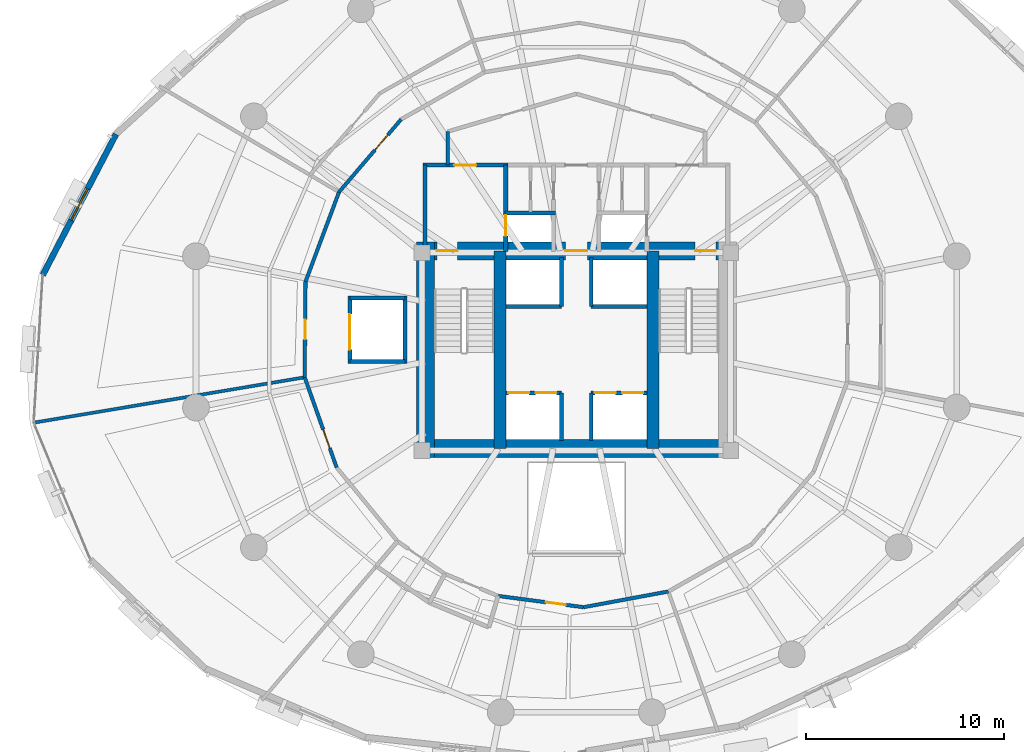
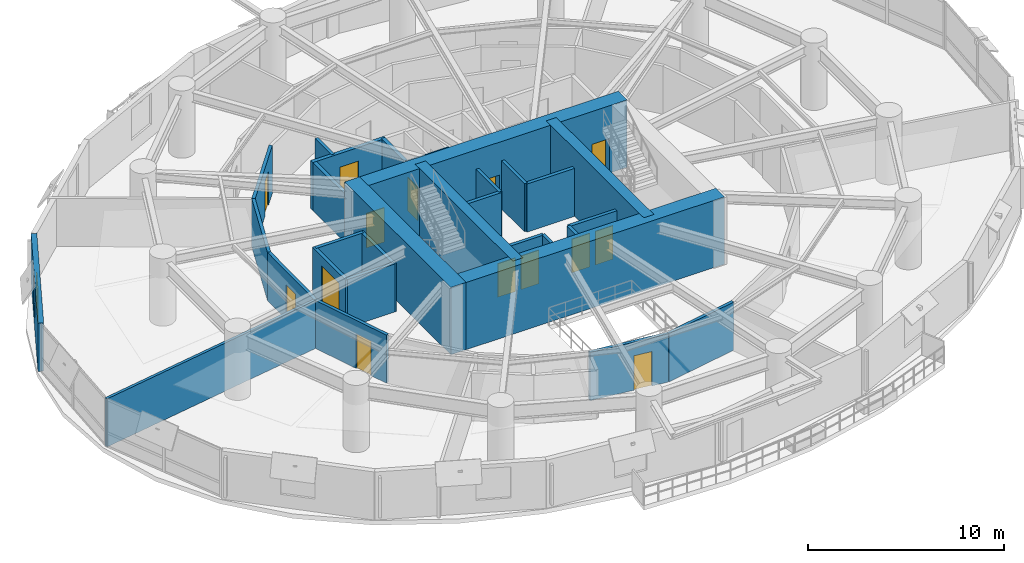
# One storey, part 12 of 17: 30 walls, 14 doors, 1 window, 15 openings.
"""IFC4 building model written with IfcOpenShell, lengths in metres."""

from ifc_helpers import new_model, si_unit, direction, frame, frame_2d, origin, place, context, subcontext, project, spatial, rectangle, extrude, material, layer, layer_set, type_object, element, fill, save


model = new_model("IFC4")

# Units and contexts
model_context = context("Model", 3, precision=1e-05, world=origin(), true_north=direction((0.0, 1.0)))
body_context = subcontext(model_context, "Body", "Model", "MODEL_VIEW")
ifc_project = project(units=[si_unit("LENGTHUNIT", "METRE"), si_unit("AREAUNIT", "SQUARE_METRE"), si_unit("VOLUMEUNIT", "CUBIC_METRE"), si_unit("PLANEANGLEUNIT", "RADIAN"), si_unit("MASSUNIT", "GRAM", prefix="KILO"), si_unit("THERMODYNAMICTEMPERATUREUNIT", "KELVIN"), si_unit("POWERUNIT", "WATT")], contexts=[model_context])

# Site, building, storey
site_placement = place(None, origin())
site = spatial("IfcSite", under=ifc_project, at=site_placement, CompositionType="ELEMENT")
building_placement = place(site_placement, origin())
building = spatial("IfcBuilding", under=site, at=building_placement, Name="Ocrelia Relay Tower", CompositionType="ELEMENT")
storey_placement = place(building_placement, frame((0.0, 0.0, 72.0)))
storey = spatial("IfcBuildingStorey", under=building, at=storey_placement, Name="L16", CompositionType="ELEMENT", Elevation=72.0)

# Wall
ifc_material_1 = material(Name="Concrete C70/85", Category="concrete")
ifc_layer_1 = layer(ifc_material_1, 0.89990234375, Name="Concrete C70/85")
ifc_layer_set_1 = layer_set([ifc_layer_1], Name="Concrete C70/85")
wall_type_1 = type_object("IfcWallType", Name="CW-CORE-900", PredefinedType="SHEAR", material=ifc_layer_set_1)
wall_1_placement = place(storey_placement, frame((25.922119140625, 20.112060546875, 0.0), z_axis=(0.0, 0.0, 1.0), x_axis=(1.0, 0.0, 0.0)))
element("IfcWall", 1, at=wall_1_placement, inside=storey, type_object=wall_type_1, Name="L16 Core Shear Wall S", PredefinedType="SHEAR", context=body_context, shape_type="SweptSolid", body=[
    extrude(rectangle(XDim=16.165771484375, YDim=0.89990234375, at=frame_2d((8.0830078125, 0.0))), origin(), (0.0, 0.0, 1.0), 4.199951171875),
])

# Wall, openings, doors
wall_2_placement = place(storey_placement, frame((25.922119140625, 30.087890625, 0.0), z_axis=(0.0, 0.0, 1.0), x_axis=(1.0, 0.0, 0.0)))
wall_2 = element("IfcWall", 2, at=wall_2_placement, inside=storey, type_object=wall_type_1, Name="L16 Core Shear Wall N", PredefinedType="SHEAR", context=body_context, shape_type="SweptSolid", body=[
    extrude(rectangle(XDim=16.165771484375, YDim=0.89990234375, at=frame_2d((8.0830078125, 0.0))), origin(), (0.0, 0.0, 1.0), 4.199951171875),
])
opening_1_placement = place(wall_2_placement, frame((1.028076171875, 0.0, 0.0)))
opening_1 = element("IfcOpeningElement", 3, at=opening_1_placement, cuts=wall_2, Name="Opening D-FD90", PredefinedType="OPENING", context=body_context, shape_type="SweptSolid", body=[
    extrude(rectangle(XDim=1.050048828125, YDim=2.14990234375, at=frame_2d((0.52490234375, 1.074951171875))), frame((0.0, 0.4599609375, 0.0), z_axis=(0.0, -1.0, 0.0), x_axis=(1.0, 0.0, 0.0)), (0.0, 0.0, 1.0), 0.919921875),
])
opening_2_placement = place(wall_2_placement, frame((14.077880859375, 0.0, 0.0)))
opening_2 = element("IfcOpeningElement", 4, at=opening_2_placement, cuts=wall_2, Name="Opening D-FD90", PredefinedType="OPENING", context=body_context, shape_type="SweptSolid", body=[
    extrude(rectangle(XDim=1.050048828125, YDim=2.14990234375, at=frame_2d((0.52490234375, 1.074951171875))), frame((0.0, 0.4599609375, 0.0), z_axis=(0.0, -1.0, 0.0), x_axis=(1.0, 0.0, 0.0)), (0.0, 0.0, 1.0), 0.919921875),
])
opening_3_placement = place(wall_2_placement, frame((7.528076171875, 0.0, 0.0)))
opening_3 = element("IfcOpeningElement", 5, at=opening_3_placement, cuts=wall_2, Name="Opening D-FD60", PredefinedType="OPENING", context=body_context, shape_type="SweptSolid", body=[
    extrude(rectangle(XDim=1.10009765625, YDim=2.14990234375, at=frame_2d((0.550048828125, 1.074951171875))), frame((0.0, 0.4599609375, 0.0), z_axis=(0.0, -1.0, 0.0), x_axis=(1.0, 0.0, 0.0)), (0.0, 0.0, 1.0), 0.919921875),
])
ifc_material_2 = material(Name="Timber-core 60-min acoustic fire door", Category="wood")
door_type_1 = type_object("IfcDoorType", Name="DR-LOBBY-FD60-1100", OperationType="NOTDEFINED", PredefinedType="DOOR", material=ifc_material_2)
door_1_placement = place(opening_3_placement, origin())
door_1 = element("IfcDoor", 6, at=door_1_placement, inside=storey, type_object=door_type_1, Name="L16 Core Lift Lobby North Fire Door", OperationType="SINGLE_SWING_RIGHT", OverallHeight=2.14990234375, OverallWidth=1.10009765625, PredefinedType="DOOR", context=body_context, shape_type="SweptSolid", body=[
    extrude(rectangle(XDim=1.10009765625, YDim=2.14990234375, at=frame_2d((0.550048828125, 1.074951171875))), frame((0.0, 0.02490234375, 0.0), z_axis=(0.0, -1.0, 0.0), x_axis=(1.0, 0.0, 0.0)), (0.0, 0.0, 1.0), 0.050048828125),
])
fill(opening_3, door_1)
ifc_material_3 = material(Name="Steel S355 90-min fire door", Category="steel")
door_type_2 = type_object("IfcDoorType", Name="DR-STAIR-FD90-1050", OperationType="NOTDEFINED", PredefinedType="DOOR", material=ifc_material_3)
door_2_placement = place(opening_1_placement, origin())
door_2 = element("IfcDoor", 7, at=door_2_placement, inside=storey, type_object=door_type_2, Name="L16 Stair ST1 Fire Door", OperationType="SINGLE_SWING_RIGHT", OverallHeight=2.14990234375, OverallWidth=1.050048828125, PredefinedType="DOOR", context=body_context, shape_type="SweptSolid", body=[
    extrude(rectangle(XDim=1.050048828125, YDim=2.14990234375, at=frame_2d((0.52490234375, 1.074951171875))), frame((0.0, 0.02490234375, 0.0), z_axis=(0.0, -1.0, 0.0), x_axis=(1.0, 0.0, 0.0)), (0.0, 0.0, 1.0), 0.050048828125),
])
fill(opening_1, door_2)
door_3_placement = place(opening_2_placement, origin())
door_3 = element("IfcDoor", 8, at=door_3_placement, inside=storey, type_object=door_type_2, Name="L16 Stair ST2 Fire Door", OperationType="SINGLE_SWING_LEFT", OverallHeight=2.14990234375, OverallWidth=1.050048828125, PredefinedType="DOOR", context=body_context, shape_type="SweptSolid", body=[
    extrude(rectangle(XDim=1.050048828125, YDim=2.14990234375, at=frame_2d((0.52490234375, 1.074951171875))), frame((0.0, 0.02490234375, 0.0), z_axis=(0.0, -1.0, 0.0), x_axis=(1.0, 0.0, 0.0)), (0.0, 0.0, 1.0), 0.050048828125),
])
fill(opening_2, door_3)

# Walls
wall_3_placement = place(storey_placement, frame((26.3720703125, 19.662109375, 0.0), z_axis=(0.0, 0.0, 1.0), x_axis=(0.0, 1.0, 0.0)))
element("IfcWall", 9, at=wall_3_placement, inside=storey, type_object=wall_type_1, Name="L16 Core Shear Wall W", PredefinedType="SHEAR", context=body_context, shape_type="SweptSolid", body=[
    extrude(rectangle(XDim=10.8759765625, YDim=0.89990234375, at=frame_2d((5.43798828125, 0.0))), origin(), (0.0, 0.0, 1.0), 4.199951171875),
])
for number, where, z_axis, x_axis, name in (
    (10, (30.137939453125, 20.112060546875, 0.0), (0.0, 0.0, 1.0), (0.0, 1.0, 0.0), "L16 Core Shear Wall SPW"),
    (11, (37.8720703125, 20.112060546875, 0.0), (0.0, 0.0, 1.0), (0.0, 1.0, 0.0), "L16 Core Shear Wall SPE"),
):
    element("IfcWall", number, at=place(storey_placement, frame(where, z_axis=z_axis, x_axis=x_axis)), inside=storey, type_object=wall_type_1, Name=name, PredefinedType="SHEAR", context=body_context, shape_type="SweptSolid", body=[
        extrude(rectangle(XDim=9.975830078125, YDim=0.60009765625, at=frame_2d((4.98779296875, 0.0))), origin(), (0.0, 0.0, 1.0), 4.199951171875),
    ])
ifc_material_4 = material(Name="Gypsum Fireboard Partition EI60", Category="gypsum")
ifc_layer_2 = layer(ifc_material_4, 0.179931640625, Name="Gypsum Fireboard Partition EI60")
ifc_layer_set_2 = layer_set([ifc_layer_2], Name="Gypsum Fireboard Partition EI60")
wall_type_2 = type_object("IfcWallType", Name="W-CORR-EI60-180", PredefinedType="PARTITIONING", material=ifc_layer_set_2)
wall_4_placement = place(storey_placement, frame((27.5, 34.429931640625, 0.0), z_axis=(0.0, 0.0, 1.0), x_axis=(0.0, 1.0, 0.0)))
element("IfcWall", 12, at=wall_4_placement, inside=storey, type_object=wall_type_2, Name="L16 Smoke Lobby West Return", PredefinedType="PARTITIONING", context=body_context, shape_type="SweptSolid", body=[
    extrude(rectangle(XDim=1.69287109375, YDim=0.179931640625, at=frame_2d((0.846435546875, 0.0))), origin(), (0.0, 0.0, 1.0), 3.0),
])

# Wall, opening, door
wall_5_placement = place(storey_placement, frame((30.04638671875, 12.6533203125, 0.0), z_axis=(0.0, 0.0, 1.0), x_axis=(0.99144150769, -0.130551663448, 0.0)))
wall_5 = element("IfcWall", 13, at=wall_5_placement, inside=storey, type_object=wall_type_2, Name="L16 Operations Control Office A Corridor Partition 1", PredefinedType="PARTITIONING", context=body_context, shape_type="SweptSolid", body=[
    extrude(rectangle(XDim=4.35546875, YDim=0.179931640625, at=frame_2d((2.177734375, 0.0))), origin(), (0.0, 0.0, 1.0), 3.0),
])
opening_4_placement = place(wall_5_placement, frame((2.44140625, 0.0, 0.0)))
opening_4 = element("IfcOpeningElement", 14, at=opening_4_placement, cuts=wall_5, Name="Opening D-RM100", PredefinedType="OPENING", context=body_context, shape_type="SweptSolid", body=[
    extrude(rectangle(XDim=1.0, YDim=2.14990234375, at=frame_2d((0.5, 1.074951171875))), frame((0.0, 0.10009765625, 0.0), z_axis=(0.0, -1.0, 0.0), x_axis=(1.0, 0.0, 0.0)), (0.0, 0.0, 1.0), 0.199951171875),
])
ifc_material_5 = material(Name="Acoustic oak veneer fire door", Category="wood")
door_type_3 = type_object("IfcDoorType", Name="DR-ROOM-FD60-1000", OperationType="NOTDEFINED", PredefinedType="DOOR", material=ifc_material_5)
door_4_placement = place(opening_4_placement, origin())
door_4 = element("IfcDoor", 15, at=door_4_placement, inside=storey, type_object=door_type_3, Name="L16 Operations Control Office A Entrance Door", OperationType="SINGLE_SWING_RIGHT", OverallHeight=2.14990234375, OverallWidth=1.0, PredefinedType="DOOR", context=body_context, shape_type="SweptSolid", body=[
    extrude(rectangle(XDim=1.0, YDim=2.14990234375, at=frame_2d((0.5, 1.074951171875))), frame((0.0, 0.02490234375, 0.0), z_axis=(0.0, -1.0, 0.0), x_axis=(1.0, 0.0, 0.0)), (0.0, 0.0, 1.0), 0.050048828125),
])
fill(opening_4, door_4)

# Wall
wall_6_placement = place(storey_placement, frame((34.364501953125, 12.084716796875, 0.0), z_axis=(0.0, 0.0, 1.0), x_axis=(0.983251507181, 0.182253871363, 0.0)))
element("IfcWall", 16, at=wall_6_placement, inside=storey, type_object=wall_type_2, Name="L16 Operations Control Office A Corridor Partition 2", PredefinedType="PARTITIONING", context=body_context, shape_type="SweptSolid", body=[
    extrude(rectangle(XDim=4.35498046875, YDim=0.179931640625, at=frame_2d((2.177490234375, 0.0))), origin(), (0.0, 0.0, 1.0), 3.0),
])

# Wall, opening, door
wall_7_placement = place(storey_placement, frame((25.145751953125, 36.740966796875, 0.0), z_axis=(0.0, 0.0, 1.0), x_axis=(-0.649451176298, -0.760403294052, 0.0)))
wall_7 = element("IfcWall", 17, at=wall_7_placement, inside=storey, type_object=wall_type_2, Name="L16 Systems Office C Corridor Partition 2", PredefinedType="PARTITIONING", context=body_context, shape_type="SweptSolid", body=[
    extrude(rectangle(XDim=4.834228515625, YDim=0.179931640625, at=frame_2d((2.4169921875, 0.0))), origin(), (0.0, 0.0, 1.0), 3.0),
])
opening_5_placement = place(wall_7_placement, frame((1.03369140625, 0.0, 0.0)))
opening_5 = element("IfcOpeningElement", 18, at=opening_5_placement, cuts=wall_7, Name="Opening D-RM100", PredefinedType="OPENING", context=body_context, shape_type="SweptSolid", body=[
    extrude(rectangle(XDim=1.0, YDim=2.14990234375, at=frame_2d((0.5, 1.074951171875))), frame((0.0, 0.10009765625, 0.0), z_axis=(0.0, -1.0, 0.0), x_axis=(1.0, 0.0, 0.0)), (0.0, 0.0, 1.0), 0.199951171875),
])
door_5_placement = place(opening_5_placement, origin())
door_5 = element("IfcDoor", 19, at=door_5_placement, inside=storey, type_object=door_type_3, Name="L16 Systems Office C Entrance Door", OperationType="SINGLE_SWING_RIGHT", OverallHeight=2.14990234375, OverallWidth=1.0, PredefinedType="DOOR", context=body_context, shape_type="SweptSolid", body=[
    extrude(rectangle(XDim=1.0, YDim=2.14990234375, at=frame_2d((0.5, 1.074951171875))), frame((0.0, 0.02490234375, 0.0), z_axis=(0.0, -1.0, 0.0), x_axis=(1.0, 0.0, 0.0)), (0.0, 0.0, 1.0), 0.050048828125),
])
fill(opening_5, door_5)

# Wall
wall_8_placement = place(storey_placement, frame((22.006103515625, 33.06494140625, 0.0), z_axis=(0.0, 0.0, 1.0), x_axis=(-0.350215664948, -0.936669092062, 0.0)))
element("IfcWall", 20, at=wall_8_placement, inside=storey, type_object=wall_type_2, Name="L16 Carrier Briefing Room Corridor Partition 1", PredefinedType="PARTITIONING", context=body_context, shape_type="SweptSolid", body=[
    extrude(rectangle(XDim=4.83447265625, YDim=0.179931640625, at=frame_2d((2.417236328125, 0.0))), origin(), (0.0, 0.0, 1.0), 3.0),
])

# Wall, opening, door
wall_9_placement = place(storey_placement, frame((20.31298828125, 28.53662109375, 0.0), z_axis=(0.0, 0.0, 1.0), x_axis=(-0.008686102284, -0.999962275102, 0.0)))
wall_9 = element("IfcWall", 21, at=wall_9_placement, inside=storey, type_object=wall_type_2, Name="L16 Carrier Briefing Room Corridor Partition 2", PredefinedType="PARTITIONING", context=body_context, shape_type="SweptSolid", body=[
    extrude(rectangle(XDim=4.83447265625, YDim=0.179931640625, at=frame_2d((2.417236328125, 0.0))), origin(), (0.0, 0.0, 1.0), 3.0),
])
opening_6_placement = place(wall_9_placement, frame((1.917236328125, 0.0, 0.0)))
opening_6 = element("IfcOpeningElement", 22, at=opening_6_placement, cuts=wall_9, Name="Opening D-RM100", PredefinedType="OPENING", context=body_context, shape_type="SweptSolid", body=[
    extrude(rectangle(XDim=1.0, YDim=2.14990234375, at=frame_2d((0.5, 1.074951171875))), frame((0.0, 0.10009765625, 0.0), z_axis=(0.0, -1.0, 0.0), x_axis=(1.0, 0.0, 0.0)), (0.0, 0.0, 1.0), 0.199951171875),
])
door_6_placement = place(opening_6_placement, origin())
door_6 = element("IfcDoor", 23, at=door_6_placement, inside=storey, type_object=door_type_3, Name="L16 Carrier Briefing Room Entrance Door", OperationType="SINGLE_SWING_RIGHT", OverallHeight=2.14990234375, OverallWidth=1.0, PredefinedType="DOOR", context=body_context, shape_type="SweptSolid", body=[
    extrude(rectangle(XDim=1.0, YDim=2.14990234375, at=frame_2d((0.5, 1.074951171875))), frame((0.0, 0.02490234375, 0.0), z_axis=(0.0, -1.0, 0.0), x_axis=(1.0, 0.0, 0.0)), (0.0, 0.0, 1.0), 0.050048828125),
])
fill(opening_6, door_6)

wall_10_placement = place(storey_placement, frame((20.27099609375, 23.702392578125, 0.0), z_axis=(0.0, 0.0, 1.0), x_axis=(0.333778894191, -0.942651393566, 0.0)))
wall_10 = element("IfcWall", 24, at=wall_10_placement, inside=storey, type_object=wall_type_2, Name="L16 Network Monitoring Studio Corridor Partition 1", PredefinedType="PARTITIONING", context=body_context, shape_type="SweptSolid", body=[
    extrude(rectangle(XDim=4.834228515625, YDim=0.179931640625, at=frame_2d((2.4169921875, 0.0))), origin(), (0.0, 0.0, 1.0), 3.0),
])
opening_7_placement = place(wall_10_placement, frame((2.80078125, 0.0, 0.0)))
opening_7 = element("IfcOpeningElement", 25, at=opening_7_placement, cuts=wall_10, Name="Opening D-RM100", PredefinedType="OPENING", context=body_context, shape_type="SweptSolid", body=[
    extrude(rectangle(XDim=1.0, YDim=2.14990234375, at=frame_2d((0.5, 1.074951171875))), frame((0.0, 0.10009765625, 0.0), z_axis=(0.0, -1.0, 0.0), x_axis=(1.0, 0.0, 0.0)), (0.0, 0.0, 1.0), 0.199951171875),
])
door_7_placement = place(opening_7_placement, origin())
door_7 = element("IfcDoor", 26, at=door_7_placement, inside=storey, type_object=door_type_3, Name="L16 Network Monitoring Studio Entrance Door", OperationType="SINGLE_SWING_LEFT", OverallHeight=2.14990234375, OverallWidth=1.0, PredefinedType="DOOR", context=body_context, shape_type="SweptSolid", body=[
    extrude(rectangle(XDim=1.0, YDim=2.14990234375, at=frame_2d((0.5, 1.074951171875))), frame((0.0, 0.02490234375, 0.0), z_axis=(0.0, -1.0, 0.0), x_axis=(1.0, 0.0, 0.0)), (0.0, 0.0, 1.0), 0.050048828125),
])
fill(opening_7, door_7)

# Wall, opening, window
ifc_material_6 = material(Name="Precast concrete C40/50 with oxide terracotta", Category="masonry")
ifc_layer_3 = layer(ifc_material_6, 0.300048828125, Name="Precast concrete C40/50 with oxide terracotta")
ifc_layer_set_3 = layer_set([ifc_layer_3], Name="Precast concrete C40/50 with oxide terracotta")
wall_type_3 = type_object("IfcWallType", Name="W-EXT-TERR-300", PredefinedType="SOLIDWALL", material=ifc_layer_set_3)
wall_11_placement = place(storey_placement, frame((10.736328125, 35.98876953125, 0.0), z_axis=(0.0, 0.0, 1.0), x_axis=(-0.461738888068, -0.887015895712, 0.0)))
wall_11 = element("IfcWall", 27, at=wall_11_placement, inside=storey, type_object=wall_type_3, Name="L16 Oxide Terracotta Facade Wall 08", PredefinedType="SOLIDWALL", context=body_context, shape_type="SweptSolid", body=[
    extrude(rectangle(XDim=8.021484375, YDim=0.300048828125, at=frame_2d((4.0107421875, 0.0))), origin(), (0.0, 0.0, 1.0), 3.0),
])
opening_8_placement = place(wall_11_placement, frame((3.111083984375, 0.0, 0.800048828125)))
opening_8 = element("IfcOpeningElement", 28, at=opening_8_placement, cuts=wall_11, Name="Opening W-02", PredefinedType="OPENING", context=body_context, shape_type="SweptSolid", body=[
    extrude(rectangle(XDim=1.800048828125, YDim=1.949951171875, at=frame_2d((0.89990234375, 0.97509765625))), frame((0.0, 0.16015625, 0.0), z_axis=(0.0, -1.0, 0.0), x_axis=(1.0, 0.0, 0.0)), (0.0, 0.0, 1.0), 0.320068359375),
])
ifc_material_7 = material(Name="Clear double-glazed low-E glass", Category="glass")
window_type = type_object("IfcWindowType", Name="WIN-Z1-1800x2100", PartitioningType="DOUBLE_PANEL_VERTICAL", PredefinedType="WINDOW", material=ifc_material_7)
window_placement = place(opening_8_placement, origin())
window = element("IfcWindow", 29, at=window_placement, inside=storey, type_object=window_type, Name="L16 Facade Module Window 08", OverallHeight=1.949951171875, OverallWidth=1.800048828125, PartitioningType="SINGLE_PANEL", PredefinedType="WINDOW", context=body_context, shape_type="SweptSolid", body=[
    extrude(rectangle(XDim=1.800048828125, YDim=1.949951171875, at=frame_2d((0.89990234375, 0.97509765625))), frame((0.0, 0.030029296875, 0.0), z_axis=(0.0, -1.0, 0.0), x_axis=(1.0, 0.0, 0.0)), (0.0, 0.0, 1.0), 0.06005859375),
])
fill(opening_8, window)

# Wall
ifc_material_8 = material(Name="Concrete C50/60", Category="concrete")
ifc_layer_4 = layer(ifc_material_8, 0.219970703125, Name="Concrete C50/60")
ifc_layer_set_4 = layer_set([ifc_layer_4], Name="Concrete C50/60")
wall_type_4 = type_object("IfcWallType", Name="W-FFL-EI120-220", PredefinedType="SOLIDWALL", material=ifc_layer_set_4)
wall_12_placement = place(storey_placement, frame((26.35009765625, 30.050048828125, 0.0), z_axis=(0.0, 0.0, 1.0), x_axis=(0.0, 1.0, 0.0)))
element("IfcWall", 30, at=wall_12_placement, inside=storey, type_object=wall_type_4, Name="L16 W Fire Service Lift Lobby West Wall", PredefinedType="SOLIDWALL", context=body_context, shape_type="SweptSolid", body=[
    extrude(rectangle(XDim=4.3798828125, YDim=0.219970703125, at=frame_2d((2.18994140625, 0.0))), origin(), (0.0, 0.0, 1.0), 3.0),
])

# Wall, opening, door
wall_13_placement = place(storey_placement, frame((30.43994140625, 30.050048828125, 0.0), z_axis=(0.0, 0.0, 1.0), x_axis=(0.0, 1.0, 0.0)))
wall_13 = element("IfcWall", 31, at=wall_13_placement, inside=storey, type_object=wall_type_4, Name="L16 W Fire Service Lift Lobby East Wall", PredefinedType="SOLIDWALL", context=body_context, shape_type="SweptSolid", body=[
    extrude(rectangle(XDim=4.3798828125, YDim=0.219970703125, at=frame_2d((2.18994140625, 0.0))), origin(), (0.0, 0.0, 1.0), 3.0),
])
opening_9_placement = place(wall_13_placement, frame((0.800048828125, 0.0, 0.0)))
opening_9 = element("IfcOpeningElement", 32, at=opening_9_placement, cuts=wall_13, Name="Opening LD-FFL1", PredefinedType="OPENING", context=body_context, shape_type="SweptSolid", body=[
    extrude(rectangle(XDim=1.050048828125, YDim=2.10009765625, at=frame_2d((0.52490234375, 1.050048828125))), frame((0.0, 0.1201171875, 0.0), z_axis=(0.0, -1.0, 0.0), x_axis=(1.0, 0.0, 0.0)), (0.0, 0.0, 1.0), 0.239990234375),
])
ifc_material_9 = material(Name="Brushed stainless steel S355 lift landing door", Category="steel")
door_type_4 = type_object("IfcDoorType", Name="DR-LIFT-LAND-1050", OperationType="DOUBLE_DOOR_SLIDING", PredefinedType="USERDEFINED", material=ifc_material_9)
door_8_placement = place(opening_9_placement, origin())
door_8 = element("IfcDoor", 33, at=door_8_placement, inside=storey, type_object=door_type_4, Name="L16 Firefighting Lift FFL1 Sliding Landing Door", ObjectType="LANDING DOOR", OperationType="DOUBLE_DOOR_SLIDING", OverallHeight=2.10009765625, OverallWidth=1.050048828125, PredefinedType="USERDEFINED", context=body_context, shape_type="SweptSolid", body=[
    extrude(rectangle(XDim=1.050048828125, YDim=2.10009765625, at=frame_2d((0.52490234375, 1.050048828125))), frame((0.0, 0.02490234375, 0.0), z_axis=(0.0, -1.0, 0.0), x_axis=(1.0, 0.0, 0.0)), (0.0, 0.0, 1.0), 0.050048828125),
])
fill(opening_9, door_8)

wall_14_placement = place(storey_placement, frame((26.239990234375, 34.429931640625, 0.0), z_axis=(0.0, 0.0, 1.0), x_axis=(1.0, 0.0, 0.0)))
wall_14 = element("IfcWall", 34, at=wall_14_placement, inside=storey, type_object=wall_type_4, Name="L16 W Fire Service Lift Lobby North Wall", PredefinedType="SOLIDWALL", context=body_context, shape_type="SweptSolid", body=[
    extrude(rectangle(XDim=4.31005859375, YDim=0.219970703125, at=frame_2d((2.155029296875, 0.0))), origin(), (0.0, 0.0, 1.0), 3.0),
])
opening_10_placement = place(wall_14_placement, frame((1.60009765625, 0.0, 0.0)))
opening_10 = element("IfcOpeningElement", 35, at=opening_10_placement, cuts=wall_14, Name="Opening D-FD60", PredefinedType="OPENING", context=body_context, shape_type="SweptSolid", body=[
    extrude(rectangle(XDim=1.10009765625, YDim=2.14990234375, at=frame_2d((0.550048828125, 1.074951171875))), frame((0.0, 0.1201171875, 0.0), z_axis=(0.0, -1.0, 0.0), x_axis=(1.0, 0.0, 0.0)), (0.0, 0.0, 1.0), 0.239990234375),
])
door_9_placement = place(opening_10_placement, origin())
door_9 = element("IfcDoor", 36, at=door_9_placement, inside=storey, type_object=door_type_1, Name="L16 W Fire Service Lift Lobby Exit Door", OperationType="SINGLE_SWING_LEFT", OverallHeight=2.14990234375, OverallWidth=1.10009765625, PredefinedType="DOOR", context=body_context, shape_type="SweptSolid", body=[
    extrude(rectangle(XDim=1.10009765625, YDim=2.14990234375, at=frame_2d((0.550048828125, 1.074951171875))), frame((0.0, 0.02490234375, 0.0), z_axis=(0.0, -1.0, 0.0), x_axis=(1.0, 0.0, 0.0)), (0.0, 0.0, 1.0), 0.050048828125),
])
fill(opening_10, door_9)

# Walls
ifc_material_10 = material(Name="Acoustic Fireboard Partition EI60", Category="gypsum")
ifc_layer_5 = layer(ifc_material_10, 0.159912109375, Name="Acoustic Fireboard Partition EI60")
ifc_layer_set_5 = layer_set([ifc_layer_5], Name="Acoustic Fireboard Partition EI60")
wall_type_5 = type_object("IfcWallType", Name="W-PART-160", PredefinedType="PARTITIONING", material=ifc_layer_set_5)
wall_15_placement = place(storey_placement, frame((20.27099609375, 23.702392578125, 0.0), z_axis=(0.0, 0.0, 1.0), x_axis=(-0.986286752886, -0.165040725524, 0.0)))
element("IfcWall", 37, at=wall_15_placement, inside=storey, type_object=wall_type_5, Name="L16 Carrier Briefing Room Radial Partition", PredefinedType="PARTITIONING", context=body_context, shape_type="SweptSolid", body=[
    extrude(rectangle(XDim=13.880126953125, YDim=0.159912109375, at=frame_2d((6.93994140625, 0.0))), origin(), (0.0, 0.0, 1.0), 3.0),
])
ifc_layer_6 = layer(ifc_material_8, 0.199951171875, Name="Concrete C50/60")
ifc_layer_set_6 = layer_set([ifc_layer_6], Name="Concrete C50/60")
wall_type_6 = type_object("IfcWallType", Name="W-SHAFT-EI120-200", PredefinedType="SOLIDWALL", material=ifc_layer_set_6)
wall_16_placement = place(storey_placement, frame((30.39990234375, 32.0, 0.0), z_axis=(0.0, 0.0, 1.0), x_axis=(1.0, 0.0, 0.0)))
element("IfcWall", 38, at=wall_16_placement, inside=storey, type_object=wall_type_6, Name="L16 FFL1 Hoistway North Wall", PredefinedType="SOLIDWALL", context=body_context, shape_type="SweptSolid", body=[
    extrude(rectangle(XDim=2.550048828125, YDim=0.199951171875, at=frame_2d((1.27490234375, 0.0))), origin(), (0.0, 0.0, 1.0), 3.0),
])

# Wall, openings, doors
wall_17_placement = place(storey_placement, frame((30.43994140625, 22.919921875, 0.0), z_axis=(0.0, 0.0, 1.0), x_axis=(1.0, 0.0, 0.0)))
wall_17 = element("IfcWall", 39, at=wall_17_placement, inside=storey, type_object=wall_type_6, Name="L16 Low-Rise Lift Hoistway Wall W", PredefinedType="SOLIDWALL", context=body_context, shape_type="SweptSolid", body=[
    extrude(rectangle(XDim=2.81005859375, YDim=0.199951171875, at=frame_2d((1.405029296875, 0.0))), origin(), (0.0, 0.0, 1.0), 3.0),
])
opening_11_placement = place(wall_17_placement, frame((0.1201171875, 0.0, 0.0)))
opening_11 = element("IfcOpeningElement", 40, at=opening_11_placement, cuts=wall_17, Name="Opening LD-PL1", PredefinedType="OPENING", context=body_context, shape_type="SweptSolid", body=[
    extrude(rectangle(XDim=1.050048828125, YDim=2.10009765625, at=frame_2d((0.52490234375, 1.050048828125))), frame((0.0, 0.10986328125, 0.0), z_axis=(0.0, -1.0, 0.0), x_axis=(1.0, 0.0, 0.0)), (0.0, 0.0, 1.0), 0.219970703125),
])
opening_12_placement = place(wall_17_placement, frame((1.5, 0.0, 0.0)))
opening_12 = element("IfcOpeningElement", 41, at=opening_12_placement, cuts=wall_17, Name="Opening LD-PL2", PredefinedType="OPENING", context=body_context, shape_type="SweptSolid", body=[
    extrude(rectangle(XDim=1.050048828125, YDim=2.10009765625, at=frame_2d((0.52490234375, 1.050048828125))), frame((0.0, 0.10986328125, 0.0), z_axis=(0.0, -1.0, 0.0), x_axis=(1.0, 0.0, 0.0)), (0.0, 0.0, 1.0), 0.219970703125),
])
door_10_placement = place(opening_11_placement, origin())
door_10 = element("IfcDoor", 42, at=door_10_placement, inside=storey, type_object=door_type_4, Name="L16 Passenger Lift PL1 Sliding Landing Door", ObjectType="LANDING DOOR", OperationType="DOUBLE_DOOR_SLIDING", OverallHeight=2.10009765625, OverallWidth=1.050048828125, PredefinedType="USERDEFINED", context=body_context, shape_type="SweptSolid", body=[
    extrude(rectangle(XDim=1.050048828125, YDim=2.10009765625, at=frame_2d((0.52490234375, 1.050048828125))), frame((0.0, 0.02490234375, 0.0), z_axis=(0.0, -1.0, 0.0), x_axis=(1.0, 0.0, 0.0)), (0.0, 0.0, 1.0), 0.050048828125),
])
fill(opening_11, door_10)
door_11_placement = place(opening_12_placement, origin())
door_11 = element("IfcDoor", 43, at=door_11_placement, inside=storey, type_object=door_type_4, Name="L16 Passenger Lift PL2 Sliding Landing Door", ObjectType="LANDING DOOR", OperationType="DOUBLE_DOOR_SLIDING", OverallHeight=2.10009765625, OverallWidth=1.050048828125, PredefinedType="USERDEFINED", context=body_context, shape_type="SweptSolid", body=[
    extrude(rectangle(XDim=1.050048828125, YDim=2.10009765625, at=frame_2d((0.52490234375, 1.050048828125))), frame((0.0, 0.02490234375, 0.0), z_axis=(0.0, -1.0, 0.0), x_axis=(1.0, 0.0, 0.0)), (0.0, 0.0, 1.0), 0.050048828125),
])
fill(opening_12, door_11)

# Wall
wall_18_placement = place(storey_placement, frame((33.25, 20.5, 0.0), z_axis=(0.0, 0.0, 1.0), x_axis=(0.0, 1.0, 0.0)))
element("IfcWall", 44, at=wall_18_placement, inside=storey, type_object=wall_type_6, Name="L16 Low-Rise Lift Throat Wall W", PredefinedType="SOLIDWALL", context=body_context, shape_type="SweptSolid", body=[
    extrude(rectangle(XDim=2.419921875, YDim=0.179931640625, at=frame_2d((1.2099609375, 0.0))), origin(), (0.0, 0.0, 1.0), 3.0),
])

# Wall, openings, doors
wall_19_placement = place(storey_placement, frame((34.75, 22.919921875, 0.0), z_axis=(0.0, 0.0, 1.0), x_axis=(1.0, 0.0, 0.0)))
wall_19 = element("IfcWall", 45, at=wall_19_placement, inside=storey, type_object=wall_type_6, Name="L16 Low-Rise Lift Hoistway Wall E", PredefinedType="SOLIDWALL", context=body_context, shape_type="SweptSolid", body=[
    extrude(rectangle(XDim=2.81005859375, YDim=0.199951171875, at=frame_2d((1.405029296875, 0.0))), origin(), (0.0, 0.0, 1.0), 3.0),
])
opening_13_placement = place(wall_19_placement, frame((0.18994140625, 0.0, 0.0)))
opening_13 = element("IfcOpeningElement", 46, at=opening_13_placement, cuts=wall_19, Name="Opening LD-PL3", PredefinedType="OPENING", context=body_context, shape_type="SweptSolid", body=[
    extrude(rectangle(XDim=1.050048828125, YDim=2.10009765625, at=frame_2d((0.52490234375, 1.050048828125))), frame((0.0, 0.10986328125, 0.0), z_axis=(0.0, -1.0, 0.0), x_axis=(1.0, 0.0, 0.0)), (0.0, 0.0, 1.0), 0.219970703125),
])
opening_14_placement = place(wall_19_placement, frame((1.570068359375, 0.0, 0.0)))
opening_14 = element("IfcOpeningElement", 47, at=opening_14_placement, cuts=wall_19, Name="Opening LD-PL4", PredefinedType="OPENING", context=body_context, shape_type="SweptSolid", body=[
    extrude(rectangle(XDim=1.050048828125, YDim=2.10009765625, at=frame_2d((0.52490234375, 1.050048828125))), frame((0.0, 0.10986328125, 0.0), z_axis=(0.0, -1.0, 0.0), x_axis=(1.0, 0.0, 0.0)), (0.0, 0.0, 1.0), 0.219970703125),
])
door_12_placement = place(opening_13_placement, origin())
door_12 = element("IfcDoor", 48, at=door_12_placement, inside=storey, type_object=door_type_4, Name="L16 Passenger Lift PL3 Sliding Landing Door", ObjectType="LANDING DOOR", OperationType="DOUBLE_DOOR_SLIDING", OverallHeight=2.10009765625, OverallWidth=1.050048828125, PredefinedType="USERDEFINED", context=body_context, shape_type="SweptSolid", body=[
    extrude(rectangle(XDim=1.050048828125, YDim=2.10009765625, at=frame_2d((0.52490234375, 1.050048828125))), frame((0.0, 0.02490234375, 0.0), z_axis=(0.0, -1.0, 0.0), x_axis=(1.0, 0.0, 0.0)), (0.0, 0.0, 1.0), 0.050048828125),
])
fill(opening_13, door_12)
door_13_placement = place(opening_14_placement, origin())
door_13 = element("IfcDoor", 49, at=door_13_placement, inside=storey, type_object=door_type_4, Name="L16 Passenger Lift PL4 Sliding Landing Door", ObjectType="LANDING DOOR", OperationType="DOUBLE_DOOR_SLIDING", OverallHeight=2.10009765625, OverallWidth=1.050048828125, PredefinedType="USERDEFINED", context=body_context, shape_type="SweptSolid", body=[
    extrude(rectangle(XDim=1.050048828125, YDim=2.10009765625, at=frame_2d((0.52490234375, 1.050048828125))), frame((0.0, 0.02490234375, 0.0), z_axis=(0.0, -1.0, 0.0), x_axis=(1.0, 0.0, 0.0)), (0.0, 0.0, 1.0), 0.050048828125),
])
fill(opening_14, door_13)

# Walls
wall_20_placement = place(storey_placement, frame((34.75, 20.5, 0.0), z_axis=(0.0, 0.0, 1.0), x_axis=(0.0, 1.0, 0.0)))
element("IfcWall", 50, at=wall_20_placement, inside=storey, type_object=wall_type_6, Name="L16 Low-Rise Lift Throat Wall E", PredefinedType="SOLIDWALL", context=body_context, shape_type="SweptSolid", body=[
    extrude(rectangle(XDim=2.419921875, YDim=0.179931640625, at=frame_2d((1.2099609375, 0.0))), origin(), (0.0, 0.0, 1.0), 3.0),
])
wall_21_placement = place(storey_placement, frame((30.43994140625, 27.280029296875, 0.0), z_axis=(0.0, 0.0, 1.0), x_axis=(1.0, 0.0, 0.0)))
element("IfcWall", 51, at=wall_21_placement, inside=storey, type_object=wall_type_6, Name="L16 High-Rise Lift Hoistway Wall W", PredefinedType="SOLIDWALL", context=body_context, shape_type="SweptSolid", body=[
    extrude(rectangle(XDim=2.81005859375, YDim=0.199951171875, at=frame_2d((1.405029296875, 0.0))), origin(), (0.0, 0.0, 1.0), 3.0),
])
wall_22_placement = place(storey_placement, frame((33.25, 27.280029296875, 0.0), z_axis=(0.0, 0.0, 1.0), x_axis=(0.0, 1.0, 0.0)))
element("IfcWall", 52, at=wall_22_placement, inside=storey, type_object=wall_type_6, Name="L16 High-Rise Lift Throat Wall W", PredefinedType="SOLIDWALL", context=body_context, shape_type="SweptSolid", body=[
    extrude(rectangle(XDim=2.469970703125, YDim=0.179931640625, at=frame_2d((1.23486328125, 0.0))), origin(), (0.0, 0.0, 1.0), 3.0),
])
wall_23_placement = place(storey_placement, frame((34.75, 27.280029296875, 0.0), z_axis=(0.0, 0.0, 1.0), x_axis=(1.0, 0.0, 0.0)))
element("IfcWall", 53, at=wall_23_placement, inside=storey, type_object=wall_type_6, Name="L16 High-Rise Lift Hoistway Wall E", PredefinedType="SOLIDWALL", context=body_context, shape_type="SweptSolid", body=[
    extrude(rectangle(XDim=2.81005859375, YDim=0.199951171875, at=frame_2d((1.405029296875, 0.0))), origin(), (0.0, 0.0, 1.0), 3.0),
])
wall_24_placement = place(storey_placement, frame((34.75, 27.280029296875, 0.0), z_axis=(0.0, 0.0, 1.0), x_axis=(0.0, 1.0, 0.0)))
element("IfcWall", 54, at=wall_24_placement, inside=storey, type_object=wall_type_6, Name="L16 High-Rise Lift Throat Wall E", PredefinedType="SOLIDWALL", context=body_context, shape_type="SweptSolid", body=[
    extrude(rectangle(XDim=2.469970703125, YDim=0.179931640625, at=frame_2d((1.23486328125, 0.0))), origin(), (0.0, 0.0, 1.0), 3.0),
])

# Wall, opening, door
wall_25_placement = place(storey_placement, frame((22.550048828125, 24.39990234375, 0.0), z_axis=(0.0, 0.0, 1.0), x_axis=(0.0, 1.0, 0.0)))
wall_25 = element("IfcWall", 55, at=wall_25_placement, inside=storey, type_object=wall_type_6, Name="L16 Goods Lift Shaft West Wall", PredefinedType="SOLIDWALL", context=body_context, shape_type="SweptSolid", body=[
    extrude(rectangle(XDim=3.400146484375, YDim=0.199951171875, at=frame_2d((1.7001953125, 0.0))), origin(), (0.0, 0.0, 1.0), 3.0),
])
opening_15_placement = place(wall_25_placement, frame((0.699951171875, 0.0, 0.0)))
opening_15 = element("IfcOpeningElement", 56, at=opening_15_placement, cuts=wall_25, Name="Opening LD-GL1", PredefinedType="OPENING", context=body_context, shape_type="SweptSolid", body=[
    extrude(rectangle(XDim=1.800048828125, YDim=2.39990234375, at=frame_2d((0.89990234375, 1.199951171875))), frame((0.0, 0.10986328125, 0.0), z_axis=(0.0, -1.0, 0.0), x_axis=(1.0, 0.0, 0.0)), (0.0, 0.0, 1.0), 0.219970703125),
])
ifc_material_11 = material(Name="Heavy-duty stainless steel S355 goods landing door", Category="steel")
door_type_5 = type_object("IfcDoorType", Name="DR-GOODS-LAND-1800", OperationType="DOUBLE_DOOR_SLIDING", PredefinedType="USERDEFINED", material=ifc_material_11)
door_14_placement = place(opening_15_placement, origin())
door_14 = element("IfcDoor", 57, at=door_14_placement, inside=storey, type_object=door_type_5, Name="L16 Goods Lift GL1 Sliding Landing Door", ObjectType="LANDING DOOR", OperationType="DOUBLE_DOOR_SLIDING", OverallHeight=2.39990234375, OverallWidth=1.800048828125, PredefinedType="USERDEFINED", context=body_context, shape_type="SweptSolid", body=[
    extrude(rectangle(XDim=1.800048828125, YDim=2.39990234375, at=frame_2d((0.89990234375, 1.199951171875))), frame((0.0, 0.02490234375, 0.0), z_axis=(0.0, -1.0, 0.0), x_axis=(1.0, 0.0, 0.0)), (0.0, 0.0, 1.0), 0.050048828125),
])
fill(opening_15, door_14)

# Walls
wall_26_placement = place(storey_placement, frame((25.35009765625, 24.39990234375, 0.0), z_axis=(0.0, 0.0, 1.0), x_axis=(0.0, 1.0, 0.0)))
element("IfcWall", 58, at=wall_26_placement, inside=storey, type_object=wall_type_6, Name="L16 Goods Lift Shaft E Wall", PredefinedType="SOLIDWALL", context=body_context, shape_type="SweptSolid", body=[
    extrude(rectangle(XDim=3.400146484375, YDim=0.199951171875, at=frame_2d((1.7001953125, 0.0))), origin(), (0.0, 0.0, 1.0), 3.0),
])
for number, where, z_axis, x_axis, name in (
    (59, (22.550048828125, 24.5, 0.0), (0.0, 0.0, 1.0), (1.0, 0.0, 0.0), "L16 Goods Lift Shaft S Wall"),
    (60, (22.550048828125, 27.699951171875, 0.0), (0.0, 0.0, 1.0), (1.0, 0.0, 0.0), "L16 Goods Lift Shaft N Wall"),
):
    element("IfcWall", number, at=place(storey_placement, frame(where, z_axis=z_axis, x_axis=x_axis)), inside=storey, type_object=wall_type_6, Name=name, PredefinedType="SOLIDWALL", context=body_context, shape_type="SweptSolid", body=[
        extrude(rectangle(XDim=2.800048828125, YDim=0.199951171875, at=frame_2d((1.39990234375, 0.0))), origin(), (0.0, 0.0, 1.0), 3.0),
    ])

save(model, "model.ifc")
